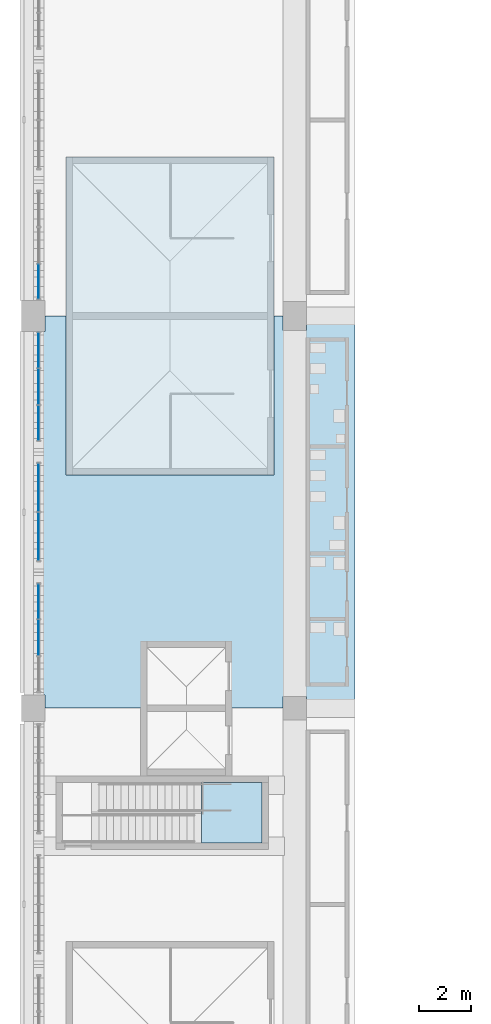
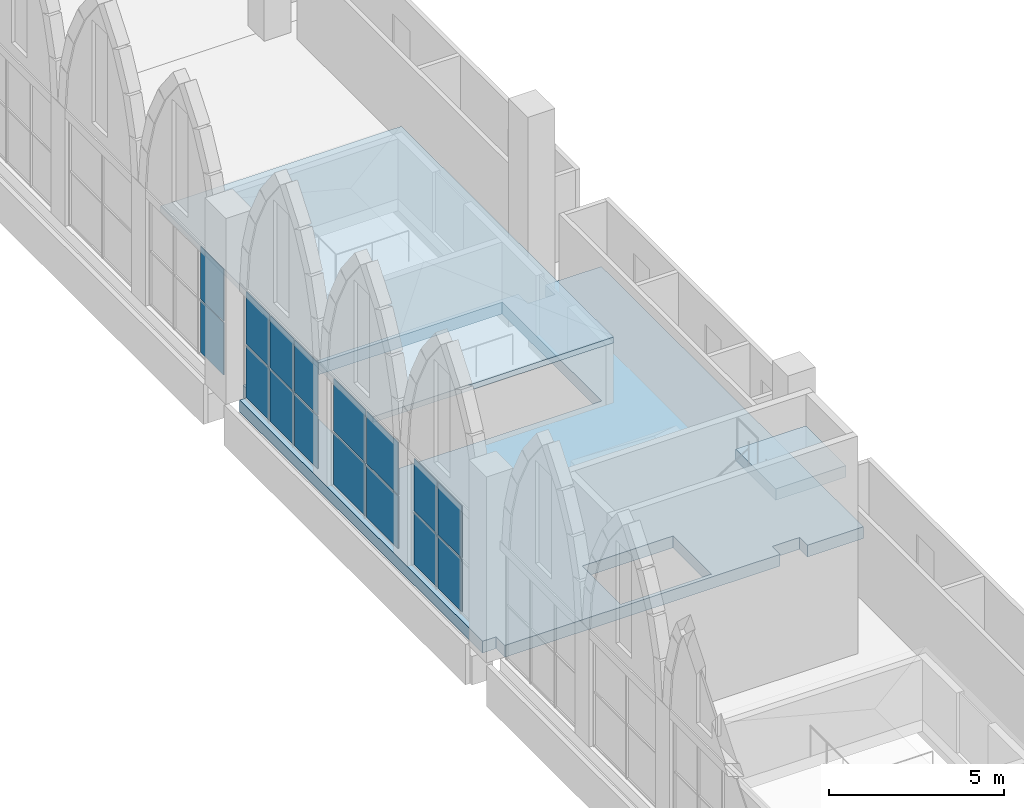
# One storey, part 53 of 130: 16 plates, 3 slabs, 5 elements without a shape of their own.
"""IFC4 building model written with IfcOpenShell, lengths in metres."""

from ifc_helpers import new_model, si_unit, direction, frame, origin, origin_2d, place, context, subcontext, project, spatial, polyline, rectangle, outline, extrude, material, layer, layer_set, type_object, element, aggregate, save


model = new_model("IFC4")

# Units and contexts
model_context = context("Model", 3, precision=1e-05, world=origin(), true_north=direction((0.0, 1.0)))
body_context = subcontext(model_context, "Body", "Model", "MODEL_VIEW")
ifc_project = project(units=[si_unit("LENGTHUNIT", "METRE"), si_unit("AREAUNIT", "SQUARE_METRE"), si_unit("VOLUMEUNIT", "CUBIC_METRE"), si_unit("PLANEANGLEUNIT", "RADIAN"), si_unit("MASSUNIT", "GRAM", prefix="KILO")], contexts=[model_context])

# Site, building, storey
site_placement = place(None, origin())
site = spatial("IfcSite", under=ifc_project, at=site_placement, CompositionType="ELEMENT")
building_placement = place(site_placement, origin())
building = spatial("IfcBuilding", under=site, at=building_placement, Name="Ogive Plaza Stadium", CompositionType="ELEMENT")
storey_placement = place(building_placement, frame((0.0, 0.0, 22.5)))
storey = spatial("IfcBuildingStorey", under=building, at=storey_placement, Name="L05", CompositionType="ELEMENT", Elevation=22.5)

# Slab
ifc_material_1 = material(Name="Concrete C40/50", Category="concrete")
ifc_layer_1 = layer(ifc_material_1, 0.199951171875)
ifc_layer_set_1 = layer_set([ifc_layer_1], Name="Concrete C40/50")
slab_type_1 = type_object("IfcSlabType", Name="Core roof slab", PredefinedType="ROOF", material=ifc_layer_set_1)
slab_1_placement = place(storey_placement, frame((0.0, 0.0, 2.10009765625)))
element("IfcSlab", 1, at=slab_1_placement, inside=storey, type_object=slab_type_1, Name="Stair core R26 roof", PredefinedType="ROOF", context=body_context, shape_type="SweptSolid", body=[
    extrude(outline(polyline([(-74.800048828125, 28.574951171875), (-82.760009765625, 28.574951171875), (-82.760009765625, 16.425048828125), (-74.800048828125, 16.425048828125), (-74.800048828125, 28.574951171875)])), origin(), (0.0, 0.0, 1.0), 0.199951171875),
])

# Curtain wall, plates
ifc_material_2 = material(Name="Bronze-anodised aluminium with laminated glass", Category="aluminium")
curtain_wall_type = type_object("IfcCurtainWallType", Name="Lancet curtain wall", PredefinedType="NOTDEFINED", material=ifc_material_2)
curtain_wall_1_placement = place(storey_placement, origin())
curtain_wall_1 = element("IfcCurtainWall", 2, at=curtain_wall_1_placement, inside=storey, type_object=curtain_wall_type, Name="CURTAIN WALL B25 L05", PredefinedType="NOTDEFINED")
ifc_material_3 = material(Name="Laminated glass", Category="glass")
ifc_layer_2 = layer(ifc_material_3, 0.028076171875)
ifc_layer_set_2 = layer_set([ifc_layer_2], Name="Laminated glass panel 28")
plate_type = type_object("IfcPlateType", Name="Laminated glass panel 28", PredefinedType="CURTAIN_PANEL", material=ifc_layer_set_2)
plate_1_placement = place(storey_placement, frame((-83.800048828125, 10.199951171875, 0.0498046875), z_axis=(0.0, 0.0, 1.0), x_axis=(0.0, 1.0, 0.0)))
plate_1 = element("IfcPlate", 3, at=plate_1_placement, type_object=plate_type, Name="CW-B25-L05.1 panel 2.1", PredefinedType="CURTAIN_PANEL", context=body_context, shape_type="SweptSolid", body=[
    extrude(rectangle(XDim=1.35009765625, YDim=0.028076171875, at=origin_2d()), origin(), (0.0, 0.0, 1.0), 1.824951171875),
])
plate_2_placement = place(storey_placement, frame((-83.800048828125, 10.199951171875, 1.9248046875), z_axis=(0.0, 0.0, 1.0), x_axis=(0.0, 1.0, 0.0)))
plate_2 = element("IfcPlate", 4, at=plate_2_placement, type_object=plate_type, Name="CW-B25-L05.1 panel 2.2", PredefinedType="CURTAIN_PANEL", context=body_context, shape_type="SweptSolid", body=[
    extrude(rectangle(XDim=1.35009765625, YDim=0.028076171875, at=origin_2d()), origin(), (0.0, 0.0, 1.0), 1.824951171875),
])
plate_3_placement = place(storey_placement, frame((-83.800048828125, 11.58740234375, 0.0498046875), z_axis=(0.0, 0.0, 1.0), x_axis=(0.0, 1.0, 0.0)))
plate_3 = element("IfcPlate", 5, at=plate_3_placement, type_object=plate_type, Name="CW-B25-L05.1 panel 3.1", PredefinedType="CURTAIN_PANEL", context=body_context, shape_type="SweptSolid", body=[
    extrude(rectangle(XDim=1.324951171875, YDim=0.028076171875, at=origin_2d()), origin(), (0.0, 0.0, 1.0), 1.824951171875),
])
plate_4_placement = place(storey_placement, frame((-83.800048828125, 11.58740234375, 1.9248046875), z_axis=(0.0, 0.0, 1.0), x_axis=(0.0, 1.0, 0.0)))
plate_4 = element("IfcPlate", 6, at=plate_4_placement, type_object=plate_type, Name="CW-B25-L05.1 panel 3.2", PredefinedType="CURTAIN_PANEL", context=body_context, shape_type="SweptSolid", body=[
    extrude(rectangle(XDim=1.324951171875, YDim=0.028076171875, at=origin_2d()), origin(), (0.0, 0.0, 1.0), 1.824951171875),
])
aggregate(curtain_wall_1, [plate_1, plate_2, plate_3, plate_4])

curtain_wall_2_placement = place(storey_placement, origin())
curtain_wall_2 = element("IfcCurtainWall", 7, at=curtain_wall_2_placement, inside=storey, type_object=curtain_wall_type, Name="CURTAIN WALL B25 L05", PredefinedType="NOTDEFINED")
plate_5_placement = place(storey_placement, frame((-83.800048828125, 14.0625, 0.0498046875), z_axis=(0.0, 0.0, 1.0), x_axis=(0.0, 1.0, 0.0)))
plate_5 = element("IfcPlate", 8, at=plate_5_placement, type_object=plate_type, Name="CW-B25-L05.2 panel 1.1", PredefinedType="CURTAIN_PANEL", context=body_context, shape_type="SweptSolid", body=[
    extrude(rectangle(XDim=1.824951171875, YDim=0.028076171875, at=origin_2d()), origin(), (0.0, 0.0, 1.0), 1.824951171875),
])
plate_6_placement = place(storey_placement, frame((-83.800048828125, 14.0625, 1.9248046875), z_axis=(0.0, 0.0, 1.0), x_axis=(0.0, 1.0, 0.0)))
plate_6 = element("IfcPlate", 9, at=plate_6_placement, type_object=plate_type, Name="CW-B25-L05.2 panel 1.2", PredefinedType="CURTAIN_PANEL", context=body_context, shape_type="SweptSolid", body=[
    extrude(rectangle(XDim=1.824951171875, YDim=0.028076171875, at=origin_2d()), origin(), (0.0, 0.0, 1.0), 1.824951171875),
])
plate_7_placement = place(storey_placement, frame((-83.800048828125, 15.9375, 0.0498046875), z_axis=(0.0, 0.0, 1.0), x_axis=(0.0, 1.0, 0.0)))
plate_7 = element("IfcPlate", 10, at=plate_7_placement, type_object=plate_type, Name="CW-B25-L05.2 panel 2.1", PredefinedType="CURTAIN_PANEL", context=body_context, shape_type="SweptSolid", body=[
    extrude(rectangle(XDim=1.824951171875, YDim=0.028076171875, at=origin_2d()), origin(), (0.0, 0.0, 1.0), 1.824951171875),
])
plate_8_placement = place(storey_placement, frame((-83.800048828125, 15.9375, 1.9248046875), z_axis=(0.0, 0.0, 1.0), x_axis=(0.0, 1.0, 0.0)))
plate_8 = element("IfcPlate", 11, at=plate_8_placement, type_object=plate_type, Name="CW-B25-L05.2 panel 2.2", PredefinedType="CURTAIN_PANEL", context=body_context, shape_type="SweptSolid", body=[
    extrude(rectangle(XDim=1.824951171875, YDim=0.028076171875, at=origin_2d()), origin(), (0.0, 0.0, 1.0), 1.824951171875),
])
aggregate(curtain_wall_2, [plate_5, plate_6, plate_7, plate_8])

curtain_wall_3_placement = place(storey_placement, origin())
curtain_wall_3 = element("IfcCurtainWall", 12, at=curtain_wall_3_placement, inside=storey, type_object=curtain_wall_type, Name="CURTAIN WALL B25 L05", PredefinedType="NOTDEFINED")
plate_9_placement = place(storey_placement, frame((-83.800048828125, 18.41259765625, 0.0498046875), z_axis=(0.0, 0.0, 1.0), x_axis=(0.0, 1.0, 0.0)))
plate_9 = element("IfcPlate", 13, at=plate_9_placement, type_object=plate_type, Name="CW-B25-L05.3 panel 1.1", PredefinedType="CURTAIN_PANEL", context=body_context, shape_type="SweptSolid", body=[
    extrude(rectangle(XDim=1.324951171875, YDim=0.028076171875, at=origin_2d()), origin(), (0.0, 0.0, 1.0), 1.824951171875),
])
plate_10_placement = place(storey_placement, frame((-83.800048828125, 18.41259765625, 1.9248046875), z_axis=(0.0, 0.0, 1.0), x_axis=(0.0, 1.0, 0.0)))
plate_10 = element("IfcPlate", 14, at=plate_10_placement, type_object=plate_type, Name="CW-B25-L05.3 panel 1.2", PredefinedType="CURTAIN_PANEL", context=body_context, shape_type="SweptSolid", body=[
    extrude(rectangle(XDim=1.324951171875, YDim=0.028076171875, at=origin_2d()), origin(), (0.0, 0.0, 1.0), 1.824951171875),
])
plate_11_placement = place(storey_placement, frame((-83.800048828125, 19.800048828125, 0.0498046875), z_axis=(0.0, 0.0, 1.0), x_axis=(0.0, 1.0, 0.0)))
plate_11 = element("IfcPlate", 15, at=plate_11_placement, type_object=plate_type, Name="CW-B25-L05.3 panel 2.1", PredefinedType="CURTAIN_PANEL", context=body_context, shape_type="SweptSolid", body=[
    extrude(rectangle(XDim=1.35009765625, YDim=0.028076171875, at=origin_2d()), origin(), (0.0, 0.0, 1.0), 1.824951171875),
])
plate_12_placement = place(storey_placement, frame((-83.800048828125, 19.800048828125, 1.9248046875), z_axis=(0.0, 0.0, 1.0), x_axis=(0.0, 1.0, 0.0)))
plate_12 = element("IfcPlate", 16, at=plate_12_placement, type_object=plate_type, Name="CW-B25-L05.3 panel 2.2", PredefinedType="CURTAIN_PANEL", context=body_context, shape_type="SweptSolid", body=[
    extrude(rectangle(XDim=1.35009765625, YDim=0.028076171875, at=origin_2d()), origin(), (0.0, 0.0, 1.0), 1.824951171875),
])
plate_13_placement = place(storey_placement, frame((-83.800048828125, 21.1875, 0.0498046875), z_axis=(0.0, 0.0, 1.0), x_axis=(0.0, 1.0, 0.0)))
plate_13 = element("IfcPlate", 17, at=plate_13_placement, type_object=plate_type, Name="CW-B25-L05.3 panel 3.1", PredefinedType="CURTAIN_PANEL", context=body_context, shape_type="SweptSolid", body=[
    extrude(rectangle(XDim=1.324951171875, YDim=0.028076171875, at=origin_2d()), origin(), (0.0, 0.0, 1.0), 1.824951171875),
])
plate_14_placement = place(storey_placement, frame((-83.800048828125, 21.1875, 1.9248046875), z_axis=(0.0, 0.0, 1.0), x_axis=(0.0, 1.0, 0.0)))
plate_14 = element("IfcPlate", 18, at=plate_14_placement, type_object=plate_type, Name="CW-B25-L05.3 panel 3.2", PredefinedType="CURTAIN_PANEL", context=body_context, shape_type="SweptSolid", body=[
    extrude(rectangle(XDim=1.324951171875, YDim=0.028076171875, at=origin_2d()), origin(), (0.0, 0.0, 1.0), 1.824951171875),
])
aggregate(curtain_wall_3, [plate_9, plate_10, plate_11, plate_12, plate_13, plate_14])

curtain_wall_4_placement = place(storey_placement, origin())
curtain_wall_4 = element("IfcCurtainWall", 19, at=curtain_wall_4_placement, inside=storey, type_object=curtain_wall_type, Name="CURTAIN WALL B26 L05", PredefinedType="NOTDEFINED")
plate_15_placement = place(storey_placement, frame((-83.800048828125, 23.8125, 0.0498046875), z_axis=(0.0, 0.0, 1.0), x_axis=(0.0, 1.0, 0.0)))
plate_15 = element("IfcPlate", 20, at=plate_15_placement, type_object=plate_type, Name="CW-B26-L05.1 panel 1.1", PredefinedType="CURTAIN_PANEL", context=body_context, shape_type="SweptSolid", body=[
    extrude(rectangle(XDim=1.324951171875, YDim=0.028076171875, at=origin_2d()), origin(), (0.0, 0.0, 1.0), 1.824951171875),
])
plate_16_placement = place(storey_placement, frame((-83.800048828125, 23.8125, 1.9248046875), z_axis=(0.0, 0.0, 1.0), x_axis=(0.0, 1.0, 0.0)))
plate_16 = element("IfcPlate", 21, at=plate_16_placement, type_object=plate_type, Name="CW-B26-L05.1 panel 1.2", PredefinedType="CURTAIN_PANEL", context=body_context, shape_type="SweptSolid", body=[
    extrude(rectangle(XDim=1.324951171875, YDim=0.028076171875, at=origin_2d()), origin(), (0.0, 0.0, 1.0), 1.824951171875),
])
aggregate(curtain_wall_4, [plate_15, plate_16])

# Slab
ifc_material_4 = material(Name="Concrete C40/50", Category="concrete")
ifc_layer_3 = layer(ifc_material_4, 0.409912109375)
ifc_layer_set_3 = layer_set([ifc_layer_3], Name="Concrete C40/50")
slab_type_2 = type_object("IfcSlabType", Name="RC floor slab 410", PredefinedType="FLOOR", material=ifc_layer_set_3)
slab_2_placement = place(storey_placement, frame((0.0, 0.0, -0.409912109375)))
element("IfcSlab", 22, at=slab_2_placement, inside=storey, type_object=slab_type_2, Name="Floor slab L05 B25", PredefinedType="FLOOR", context=body_context, shape_type="SweptSolid", body=[
    extrude(outline(polyline([(-73.550048828125, 22.5), (-73.550048828125, 21.949951171875), (-74.449951171875, 21.949951171875), (-74.449951171875, 22.5), (-83.550048828125, 22.5), (-83.550048828125, 21.89990234375), (-84.0, 21.89990234375), (-84.0, 8.0), (-83.550048828125, 8.0), (-83.550048828125, 7.5), (-74.449951171875, 7.5), (-74.449951171875, 7.949951171875), (-73.550048828125, 7.949951171875), (-73.550048828125, 7.5), (-71.699951171875, 7.5), (-71.699951171875, 22.5), (-73.550048828125, 22.5)]), holes=[polyline([(-76.64990234375, 7.625), (-76.64990234375, 9.824951171875), (-79.64990234375, 9.824951171875), (-79.64990234375, 7.625), (-76.64990234375, 7.625)]), polyline([(-75.050048828125, 16.675048828125), (-75.050048828125, 22.375), (-82.510009765625, 22.375), (-82.510009765625, 16.675048828125), (-75.050048828125, 16.675048828125)])]), origin(), (0.0, 0.0, 1.0), 0.409912109375),
])

# Stair, slab
ifc_material_5 = material(Name="Concrete C40/50", Category="concrete")
stair_type = type_object("IfcStairType", Name="Roof access stair", PredefinedType="STRAIGHT_RUN_STAIR", material=ifc_material_5)
stair_placement = place(storey_placement, origin())
stair = element("IfcStair", 23, at=stair_placement, inside=storey, type_object=stair_type, Name="Roof access stair RA2 L05 to Roof", PredefinedType="STRAIGHT_RUN_STAIR")
ifc_material_6 = material(Name="Concrete C40/50", Category="concrete")
ifc_layer_4 = layer(ifc_material_6, 0.39990234375)
ifc_layer_set_4 = layer_set([ifc_layer_4], Name="Concrete C40/50")
slab_type_3 = type_object("IfcSlabType", Name="Stair landing", PredefinedType="LANDING", material=ifc_layer_set_4)
slab_3_placement = place(storey_placement, frame((0.0, 0.0, 6.10009765625)))
slab_3 = element("IfcSlab", 24, at=slab_3_placement, type_object=slab_type_3, Name="RA2 landing 2", PredefinedType="LANDING", context=body_context, shape_type="SweptSolid", body=[
    extrude(outline(polyline([(-75.25, 4.64990234375), (-77.570068359375, 4.64990234375), (-77.570068359375, 2.35009765625), (-75.25, 2.35009765625), (-75.25, 4.64990234375)])), origin(), (0.0, 0.0, 1.0), 0.39990234375),
])
aggregate(stair, [slab_3])

save(model, "model.ifc")
